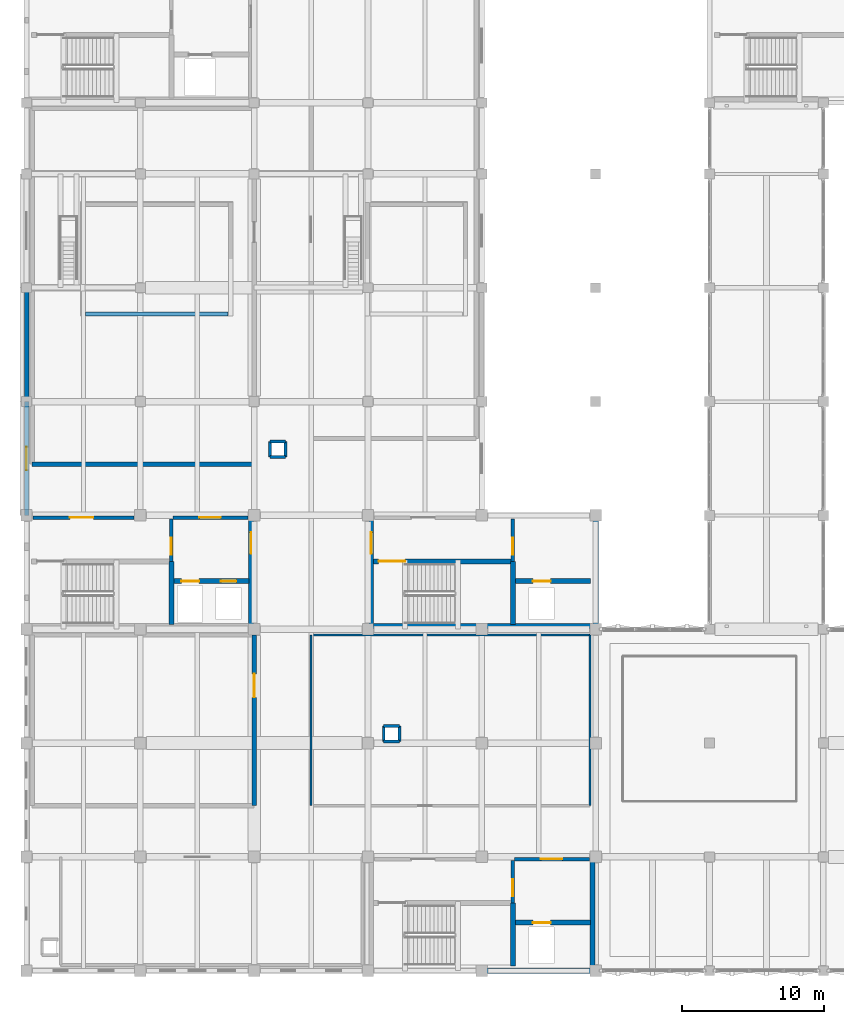
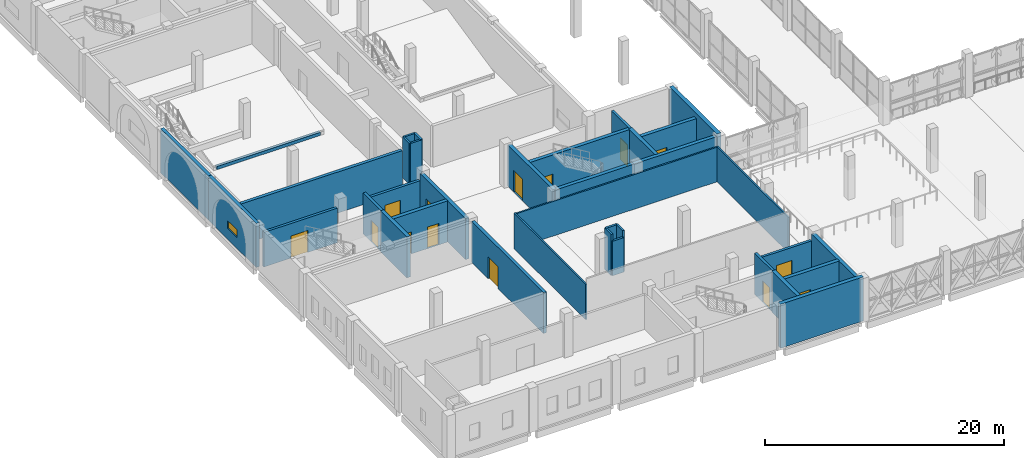
# One storey, part 26 of 45: 35 walls, 14 doors, 1 window, 15 openings.
"""IFC4 building model written with IfcOpenShell, lengths in metres."""

from ifc_helpers import new_model, si_unit, direction, frame, frame_2d, origin, place, context, subcontext, project, spatial, rectangle, extrude, material, layer, layer_set, type_object, element, fill, save


model = new_model("IFC4")

# Units and contexts
model_context = context("Model", 3, precision=1e-05, world=origin(), true_north=direction((0.0, 1.0)))
body_context = subcontext(model_context, "Body", "Model", "MODEL_VIEW")
ifc_project = project(units=[si_unit("LENGTHUNIT", "METRE"), si_unit("AREAUNIT", "SQUARE_METRE"), si_unit("VOLUMEUNIT", "CUBIC_METRE"), si_unit("PLANEANGLEUNIT", "RADIAN"), si_unit("MASSUNIT", "GRAM", prefix="KILO")], contexts=[model_context])

# Site, building, storey
site_placement = place(None, origin())
site = spatial("IfcSite", under=ifc_project, at=site_placement, CompositionType="ELEMENT")
building_placement = place(site_placement, origin())
building = spatial("IfcBuilding", under=site, at=building_placement, Name="Qorikala Patio Media Centre", CompositionType="ELEMENT")
storey_placement = place(building_placement, frame((0.0, 0.0, 9.89990234375)))
storey = spatial("IfcBuildingStorey", under=building, at=storey_placement, Name="L02", CompositionType="ELEMENT", Elevation=9.89990234375)

# Wall
ifc_material_1 = material(Name="Concrete C35/45", Category="concrete")
ifc_layer_1 = layer(ifc_material_1, 0.300048828125)
ifc_layer_set_1 = layer_set([ifc_layer_1], Name="Concrete C35/45")
wall_type_1 = type_object("IfcWallType", Name="WL-AC-300", PredefinedType="SHEAR", material=ifc_layer_set_1)
wall_1_placement = place(storey_placement, frame((7.14990234375, 49.14990234375, 0.0), z_axis=(0.0, 0.0, 1.0), x_axis=(1.0, 0.0, 0.0)))
element("IfcWall", 1, at=wall_1_placement, inside=storey, type_object=wall_type_1, Name="Cinema Screen 3 Raked Seating Tier Front Riser Support Wall", PredefinedType="SHEAR", context=body_context, shape_type="SweptSolid", body=[
    extrude(rectangle(XDim=10.0, YDim=0.300048828125, at=frame_2d((5.0, 0.0))), origin(), (0.0, 0.0, 1.0), 0.320068359375),
])

# Wall, opening, door
wall_2_placement = place(storey_placement, frame((19.0, 14.60009765625, 0.0), z_axis=(0.0, 0.0, 1.0), x_axis=(0.0, 1.0, 0.0)))
wall_2 = element("IfcWall", 2, at=wall_2_placement, inside=storey, type_object=wall_type_1, Name="L02 Interior Wall WINT-L02-REST2-E", PredefinedType="SHEAR", context=body_context, shape_type="SweptSolid", body=[
    extrude(rectangle(XDim=12.0, YDim=0.300048828125, at=frame_2d((6.0, 0.0))), origin(), (0.0, 0.0, 1.0), 4.2001953125),
])
opening_1_placement = place(wall_2_placement, frame((7.614013671875, 0.0, 0.0)))
opening_1 = element("IfcOpeningElement", 3, at=opening_1_placement, cuts=wall_2, Name="Opening D269", PredefinedType="OPENING", context=body_context, shape_type="SweptSolid", body=[
    extrude(rectangle(XDim=1.64990234375, YDim=2.25, at=frame_2d((0.824951171875, 1.125))), frame((0.0, 0.159912109375, 0.0), z_axis=(0.0, -1.0, 0.0), x_axis=(1.0, 0.0, 0.0)), (0.0, 0.0, 1.0), 0.320068359375),
])
ifc_material_2 = material(Name="Powder-Coated Acoustic Fire Steel", Category="steel")
door_type_1 = type_object("IfcDoorType", Name="DR-FD60-165X225", OperationType="DOUBLE_DOOR_SINGLE_SWING", PredefinedType="DOOR", material=ifc_material_2)
door_1_placement = place(opening_1_placement, origin())
door_1 = element("IfcDoor", 4, at=door_1_placement, inside=storey, type_object=door_type_1, Name="Archival Screening Room Door 058", OperationType="DOUBLE_DOOR_SINGLE_SWING", OverallHeight=2.25, OverallWidth=1.64990234375, PredefinedType="DOOR", context=body_context, shape_type="SweptSolid", body=[
    extrude(rectangle(XDim=1.64990234375, YDim=2.25, at=frame_2d((0.824951171875, 1.125))), frame((0.0, 0.02490234375, 0.0), z_axis=(0.0, -1.0, 0.0), x_axis=(1.0, 0.0, 0.0)), (0.0, 0.0, 1.0), 0.050048828125),
])
fill(opening_1, door_1)

# Walls
wall_3_placement = place(storey_placement, frame((3.39990234375, 38.60009765625, 0.0), z_axis=(0.0, 0.0, 1.0), x_axis=(1.0, 0.0, 0.0)))
element("IfcWall", 5, at=wall_3_placement, inside=storey, type_object=wall_type_1, Name="L02 Interior Wall WINT-L02-SCR3-S", PredefinedType="SHEAR", context=body_context, shape_type="SweptSolid", body=[
    extrude(rectangle(XDim=15.60009765625, YDim=0.300048828125, at=frame_2d((7.800048828125, 0.0))), origin(), (0.0, 0.0, 1.0), 4.2001953125),
])
ifc_layer_2 = layer(ifc_material_1, 0.35009765625)
ifc_layer_set_2 = layer_set([ifc_layer_2], Name="Concrete C35/45")
wall_type_2 = type_object("IfcWallType", Name="WL-CORE-350", PredefinedType="SHEAR", material=ifc_layer_set_2)
wall_4_placement = place(storey_placement, frame((37.175048828125, 3.35009765625, 0.0), z_axis=(0.0, 0.0, 1.0), x_axis=(0.0, 1.0, 0.0)))
element("IfcWall", 6, at=wall_4_placement, inside=storey, type_object=wall_type_2, Name="L02 Interior Wall CW-L02-C1-SE", PredefinedType="SHEAR", context=body_context, shape_type="SweptSolid", body=[
    extrude(rectangle(XDim=4.4248046875, YDim=0.35009765625, at=frame_2d((2.21240234375, 0.0))), origin(), (0.0, 0.0, 1.0), 4.2001953125),
])
wall_5_placement = place(storey_placement, frame((42.77490234375, 3.199951171875, 0.0), z_axis=(0.0, 0.0, 1.0), x_axis=(0.0, 1.0, 0.0)))
element("IfcWall", 7, at=wall_5_placement, inside=storey, type_object=wall_type_2, Name="L02 Interior Wall CW-L02-C1-EE", PredefinedType="SHEAR", context=body_context, shape_type="SweptSolid", body=[
    extrude(rectangle(XDim=7.60009765625, YDim=0.35009765625, at=frame_2d((3.800048828125, 0.0))), origin(), (0.0, 0.0, 1.0), 4.2001953125),
])

# Wall, opening, door
wall_6_placement = place(storey_placement, frame((37.175048828125, 6.375, 0.0), z_axis=(0.0, 0.0, 1.0), x_axis=(1.0, 0.0, 0.0)))
wall_6 = element("IfcWall", 8, at=wall_6_placement, inside=storey, type_object=wall_type_2, Name="L02 Interior Wall CW-L02-C1-LFN", PredefinedType="SHEAR", context=body_context, shape_type="SweptSolid", body=[
    extrude(rectangle(XDim=5.474853515625, YDim=0.35009765625, at=frame_2d((2.7373046875, 0.0))), origin(), (0.0, 0.0, 1.0), 4.2001953125),
])
opening_2_placement = place(wall_6_placement, frame((1.39990234375, 0.0, 0.0)))
opening_2 = element("IfcOpeningElement", 9, at=opening_2_placement, cuts=wall_6, Name="Opening LD04", PredefinedType="OPENING", context=body_context, shape_type="SweptSolid", body=[
    extrude(rectangle(XDim=1.25, YDim=2.25, at=frame_2d((0.625, 1.125))), frame((0.0, 0.18505859375, 0.0), z_axis=(0.0, -1.0, 0.0), x_axis=(1.0, 0.0, 0.0)), (0.0, 0.0, 1.0), 0.3701171875),
])
ifc_material_3 = material(Name="Brushed Bronze Stainless Steel", Category="steel")
door_type_2 = type_object("IfcDoorType", Name="DR-LD-125X225", OperationType="DOUBLE_DOOR_SLIDING", PredefinedType="DOOR", material=ifc_material_3)
door_2_placement = place(opening_2_placement, origin())
door_2 = element("IfcDoor", 10, at=door_2_placement, inside=storey, type_object=door_type_2, Name="L02 Lift LF-01 Sliding Landing Door", OperationType="DOUBLE_DOOR_SLIDING", OverallHeight=2.25, OverallWidth=1.25, PredefinedType="DOOR", context=body_context, shape_type="SweptSolid", body=[
    extrude(rectangle(XDim=1.25, YDim=2.25, at=frame_2d((0.625, 1.125))), frame((0.0, 0.02490234375, 0.0), z_axis=(0.0, -1.0, 0.0), x_axis=(1.0, 0.0, 0.0)), (0.0, 0.0, 1.0), 0.050048828125),
])
fill(opening_2, door_2)

# Wall
wall_7_placement = place(storey_placement, frame((13.175048828125, 27.35009765625, 0.0), z_axis=(0.0, 0.0, 1.0), x_axis=(0.0, 1.0, 0.0)))
element("IfcWall", 11, at=wall_7_placement, inside=storey, type_object=wall_type_2, Name="L02 Interior Wall CW-L02-C2-SE", PredefinedType="SHEAR", context=body_context, shape_type="SweptSolid", body=[
    extrude(rectangle(XDim=4.4248046875, YDim=0.35009765625, at=frame_2d((2.21240234375, 0.0))), origin(), (0.0, 0.0, 1.0), 4.2001953125),
])

# Wall, opening, door
wall_8_placement = place(storey_placement, frame((18.77490234375, 27.199951171875, 0.0), z_axis=(0.0, 0.0, 1.0), x_axis=(0.0, 1.0, 0.0)))
wall_8 = element("IfcWall", 12, at=wall_8_placement, inside=storey, type_object=wall_type_2, Name="L02 Interior Wall CW-L02-C2-EE", PredefinedType="SHEAR", context=body_context, shape_type="SweptSolid", body=[
    extrude(rectangle(XDim=7.60009765625, YDim=0.35009765625, at=frame_2d((3.800048828125, 0.0))), origin(), (0.0, 0.0, 1.0), 4.2001953125),
])
opening_3_placement = place(wall_8_placement, frame((5.10009765625, 0.0, 0.0)))
opening_3 = element("IfcOpeningElement", 13, at=opening_3_placement, cuts=wall_8, Name="Opening D074", PredefinedType="OPENING", context=body_context, shape_type="SweptSolid", body=[
    extrude(rectangle(XDim=1.5, YDim=2.199951171875, at=frame_2d((0.75, 1.10009765625))), frame((0.0, 0.18505859375, 0.0), z_axis=(0.0, -1.0, 0.0), x_axis=(1.0, 0.0, 0.0)), (0.0, 0.0, 1.0), 0.3701171875),
])
door_type_3 = type_object("IfcDoorType", Name="DR-FD60-150X220", OperationType="DOUBLE_DOOR_SINGLE_SWING", PredefinedType="DOOR", material=ifc_material_2)
door_3_placement = place(opening_3_placement, origin())
door_3 = element("IfcDoor", 14, at=door_3_placement, inside=storey, type_object=door_type_3, Name="L02 Core C2 East Corridor Fire Door", OperationType="DOUBLE_DOOR_SINGLE_SWING", OverallHeight=2.199951171875, OverallWidth=1.5, PredefinedType="DOOR", context=body_context, shape_type="SweptSolid", body=[
    extrude(rectangle(XDim=1.5, YDim=2.199951171875, at=frame_2d((0.75, 1.10009765625))), frame((0.0, 0.02490234375, 0.0), z_axis=(0.0, -1.0, 0.0), x_axis=(1.0, 0.0, 0.0)), (0.0, 0.0, 1.0), 0.050048828125),
])
fill(opening_3, door_3)

# Wall, openings, doors
wall_9_placement = place(storey_placement, frame((13.175048828125, 30.375, 0.0), z_axis=(0.0, 0.0, 1.0), x_axis=(1.0, 0.0, 0.0)))
wall_9 = element("IfcWall", 15, at=wall_9_placement, inside=storey, type_object=wall_type_2, Name="L02 Interior Wall CW-L02-C2-LFN", PredefinedType="SHEAR", context=body_context, shape_type="SweptSolid", body=[
    extrude(rectangle(XDim=5.474853515625, YDim=0.35009765625, at=frame_2d((2.7373046875, 0.0))), origin(), (0.0, 0.0, 1.0), 4.2001953125),
])
opening_4_placement = place(wall_9_placement, frame((0.699951171875, 0.0, 0.0)))
opening_4 = element("IfcOpeningElement", 16, at=opening_4_placement, cuts=wall_9, Name="Opening LD14", PredefinedType="OPENING", context=body_context, shape_type="SweptSolid", body=[
    extrude(rectangle(XDim=1.25, YDim=2.25, at=frame_2d((0.625, 1.125))), frame((0.0, 0.18505859375, 0.0), z_axis=(0.0, -1.0, 0.0), x_axis=(1.0, 0.0, 0.0)), (0.0, 0.0, 1.0), 0.3701171875),
])
opening_5_placement = place(wall_9_placement, frame((3.47509765625, 0.0, 0.0)))
opening_5 = element("IfcOpeningElement", 17, at=opening_5_placement, cuts=wall_9, Name="Opening LD15", PredefinedType="OPENING", context=body_context, shape_type="SweptSolid", body=[
    extrude(rectangle(XDim=1.10009765625, YDim=2.199951171875, at=frame_2d((0.550048828125, 1.10009765625))), frame((0.0, 0.18505859375, 0.0), z_axis=(0.0, -1.0, 0.0), x_axis=(1.0, 0.0, 0.0)), (0.0, 0.0, 1.0), 0.3701171875),
])
door_type_4 = type_object("IfcDoorType", Name="DR-LD-110X220", OperationType="DOUBLE_DOOR_SLIDING", PredefinedType="DOOR", material=ifc_material_3)
door_4_placement = place(opening_5_placement, origin())
door_4 = element("IfcDoor", 18, at=door_4_placement, inside=storey, type_object=door_type_4, Name="L02 Lift LP-04 Sliding Landing Door", OperationType="DOUBLE_DOOR_SLIDING", OverallHeight=2.199951171875, OverallWidth=1.10009765625, PredefinedType="DOOR", context=body_context, shape_type="SweptSolid", body=[
    extrude(rectangle(XDim=1.10009765625, YDim=2.199951171875, at=frame_2d((0.550048828125, 1.10009765625))), frame((0.0, 0.02490234375, 0.0), z_axis=(0.0, -1.0, 0.0), x_axis=(1.0, 0.0, 0.0)), (0.0, 0.0, 1.0), 0.050048828125),
])
fill(opening_5, door_4)
door_5_placement = place(opening_4_placement, origin())
door_5 = element("IfcDoor", 19, at=door_5_placement, inside=storey, type_object=door_type_2, Name="L02 Lift LF-02 Sliding Landing Door", OperationType="DOUBLE_DOOR_SLIDING", OverallHeight=2.25, OverallWidth=1.25, PredefinedType="DOOR", context=body_context, shape_type="SweptSolid", body=[
    extrude(rectangle(XDim=1.25, YDim=2.25, at=frame_2d((0.625, 1.125))), frame((0.0, 0.02490234375, 0.0), z_axis=(0.0, -1.0, 0.0), x_axis=(1.0, 0.0, 0.0)), (0.0, 0.0, 1.0), 0.050048828125),
])
fill(opening_4, door_5)

# Wall
wall_10_placement = place(storey_placement, frame((27.199951171875, 27.22509765625, 0.0), z_axis=(0.0, 0.0, 1.0), x_axis=(1.0, 0.0, 0.0)))
element("IfcWall", 20, at=wall_10_placement, inside=storey, type_object=wall_type_2, Name="L02 Core C5 Stair South Wall", PredefinedType="SHEAR", context=body_context, shape_type="SweptSolid", body=[
    extrude(rectangle(XDim=15.60009765625, YDim=0.35009765625, at=frame_2d((7.800048828125, 0.0))), origin(), (0.0, 0.0, 1.0), 4.2001953125),
])

# Wall, opening, door
wall_11_placement = place(storey_placement, frame((27.22509765625, 27.199951171875, 0.0), z_axis=(0.0, 0.0, 1.0), x_axis=(0.0, 1.0, 0.0)))
wall_11 = element("IfcWall", 21, at=wall_11_placement, inside=storey, type_object=wall_type_2, Name="L02 Interior Wall CW-L02-C5-SW", PredefinedType="SHEAR", context=body_context, shape_type="SweptSolid", body=[
    extrude(rectangle(XDim=7.60009765625, YDim=0.35009765625, at=frame_2d((3.800048828125, 0.0))), origin(), (0.0, 0.0, 1.0), 4.2001953125),
])
opening_6_placement = place(wall_11_placement, frame((5.10009765625, 0.0, 0.0)))
opening_6 = element("IfcOpeningElement", 22, at=opening_6_placement, cuts=wall_11, Name="Opening D158", PredefinedType="OPENING", context=body_context, shape_type="SweptSolid", body=[
    extrude(rectangle(XDim=1.5, YDim=2.199951171875, at=frame_2d((0.75, 1.10009765625))), frame((0.0, 0.18505859375, 0.0), z_axis=(0.0, -1.0, 0.0), x_axis=(1.0, 0.0, 0.0)), (0.0, 0.0, 1.0), 0.3701171875),
])
door_6_placement = place(opening_6_placement, origin())
door_6 = element("IfcDoor", 23, at=door_6_placement, inside=storey, type_object=door_type_3, Name="L02 Core C5 West Corridor Fire Door", OperationType="DOUBLE_DOOR_SINGLE_SWING", OverallHeight=2.199951171875, OverallWidth=1.5, PredefinedType="DOOR", context=body_context, shape_type="SweptSolid", body=[
    extrude(rectangle(XDim=1.5, YDim=2.199951171875, at=frame_2d((0.75, 1.10009765625))), frame((0.0, 0.02490234375, 0.0), z_axis=(0.0, -1.0, 0.0), x_axis=(1.0, 0.0, 0.0)), (0.0, 0.0, 1.0), 0.050048828125),
])
fill(opening_6, door_6)

# Wall
wall_12_placement = place(storey_placement, frame((37.175048828125, 27.35009765625, 0.0), z_axis=(0.0, 0.0, 1.0), x_axis=(0.0, 1.0, 0.0)))
element("IfcWall", 24, at=wall_12_placement, inside=storey, type_object=wall_type_2, Name="L02 Interior Wall CW-L02-C5-SE", PredefinedType="SHEAR", context=body_context, shape_type="SweptSolid", body=[
    extrude(rectangle(XDim=4.4248046875, YDim=0.35009765625, at=frame_2d((2.21240234375, 0.0))), origin(), (0.0, 0.0, 1.0), 4.2001953125),
])

# Wall, opening, door
wall_13_placement = place(storey_placement, frame((27.35009765625, 31.77490234375, 0.0), z_axis=(0.0, 0.0, 1.0), x_axis=(1.0, 0.0, 0.0)))
wall_13 = element("IfcWall", 25, at=wall_13_placement, inside=storey, type_object=wall_type_2, Name="L02 Interior Wall CW-L02-C5-SN", PredefinedType="SHEAR", context=body_context, shape_type="SweptSolid", body=[
    extrude(rectangle(XDim=9.824951171875, YDim=0.35009765625, at=frame_2d((4.91259765625, 0.0))), origin(), (0.0, 0.0, 1.0), 4.2001953125),
])
opening_7_placement = place(wall_13_placement, frame((0.39990234375, 0.0, 0.0)))
opening_7 = element("IfcOpeningElement", 26, at=opening_7_placement, cuts=wall_13, Name="Opening D155", PredefinedType="OPENING", context=body_context, shape_type="SweptSolid", body=[
    extrude(rectangle(XDim=1.85009765625, YDim=2.25, at=frame_2d((0.925048828125, 1.125))), frame((0.0, 0.18505859375, 0.0), z_axis=(0.0, -1.0, 0.0), x_axis=(1.0, 0.0, 0.0)), (0.0, 0.0, 1.0), 0.3701171875),
])
door_type_5 = type_object("IfcDoorType", Name="DR-FD60-185X225", OperationType="DOUBLE_DOOR_SINGLE_SWING", PredefinedType="DOOR", material=ifc_material_2)
door_7_placement = place(opening_7_placement, origin())
door_7 = element("IfcDoor", 27, at=door_7_placement, inside=storey, type_object=door_type_5, Name="L02 Stair ST-5 Fire Door", OperationType="DOUBLE_DOOR_SINGLE_SWING", OverallHeight=2.25, OverallWidth=1.85009765625, PredefinedType="DOOR", context=body_context, shape_type="SweptSolid", body=[
    extrude(rectangle(XDim=1.85009765625, YDim=2.25, at=frame_2d((0.925048828125, 1.125))), frame((0.0, 0.02490234375, 0.0), z_axis=(0.0, -1.0, 0.0), x_axis=(1.0, 0.0, 0.0)), (0.0, 0.0, 1.0), 0.050048828125),
])
fill(opening_7, door_7)

wall_14_placement = place(storey_placement, frame((37.175048828125, 30.375, 0.0), z_axis=(0.0, 0.0, 1.0), x_axis=(1.0, 0.0, 0.0)))
wall_14 = element("IfcWall", 28, at=wall_14_placement, inside=storey, type_object=wall_type_2, Name="L02 Interior Wall CW-L02-C5-LFN", PredefinedType="SHEAR", context=body_context, shape_type="SweptSolid", body=[
    extrude(rectangle(XDim=5.474853515625, YDim=0.35009765625, at=frame_2d((2.7373046875, 0.0))), origin(), (0.0, 0.0, 1.0), 4.2001953125),
])
opening_8_placement = place(wall_14_placement, frame((1.39990234375, 0.0, 0.0)))
opening_8 = element("IfcOpeningElement", 29, at=opening_8_placement, cuts=wall_14, Name="Opening LD43", PredefinedType="OPENING", context=body_context, shape_type="SweptSolid", body=[
    extrude(rectangle(XDim=1.25, YDim=2.25, at=frame_2d((0.625, 1.125))), frame((0.0, 0.18505859375, 0.0), z_axis=(0.0, -1.0, 0.0), x_axis=(1.0, 0.0, 0.0)), (0.0, 0.0, 1.0), 0.3701171875),
])
door_8_placement = place(opening_8_placement, origin())
door_8 = element("IfcDoor", 30, at=door_8_placement, inside=storey, type_object=door_type_2, Name="L02 Lift LP-03 Sliding Landing Door", OperationType="DOUBLE_DOOR_SLIDING", OverallHeight=2.25, OverallWidth=1.25, PredefinedType="DOOR", context=body_context, shape_type="SweptSolid", body=[
    extrude(rectangle(XDim=1.25, YDim=2.25, at=frame_2d((0.625, 1.125))), frame((0.0, 0.02490234375, 0.0), z_axis=(0.0, -1.0, 0.0), x_axis=(1.0, 0.0, 0.0)), (0.0, 0.0, 1.0), 0.050048828125),
])
fill(opening_8, door_8)

# Wall, opening, window
ifc_material_4 = material(Name="Ivory Lime Stucco and Concrete C35/45", Category="concrete")
ifc_layer_3 = layer(ifc_material_4, 0.320068359375)
ifc_layer_set_3 = layer_set([ifc_layer_3], Name="Ivory Lime Stucco and Concrete C35/45")
wall_type_3 = type_object("IfcWallType", Name="WL-EXT-320", PredefinedType="SOLIDWALL", material=ifc_layer_set_3)
wall_15_placement = place(storey_placement, frame((3.0, 35.0, 0.0), z_axis=(0.0, 0.0, 1.0), x_axis=(0.0, 1.0, 0.0)))
wall_15 = element("IfcWall", 31, at=wall_15_placement, inside=storey, type_object=wall_type_3, Name="L02 Exterior Wall WL-L02-EXT-0033", PredefinedType="SOLIDWALL", context=body_context, shape_type="SweptSolid", body=[
    extrude(rectangle(XDim=8.0, YDim=0.320068359375, at=frame_2d((4.0, 0.0))), origin(), (0.0, 0.0, 1.0), 4.5),
])
opening_9_placement = place(wall_15_placement, frame((3.175048828125, 0.0, 1.10009765625)))
opening_9 = element("IfcOpeningElement", 32, at=opening_9_placement, cuts=wall_15, Name="Opening WL-165", PredefinedType="OPENING", context=body_context, shape_type="SweptSolid", body=[
    extrude(rectangle(XDim=1.64990234375, YDim=0.800048828125, at=frame_2d((0.824951171875, 0.39990234375))), frame((0.0, 0.169921875, 0.0), z_axis=(0.0, -1.0, 0.0), x_axis=(1.0, 0.0, 0.0)), (0.0, 0.0, 1.0), 0.340087890625),
])
ifc_material_5 = material(Name="Acoustic Laminated Low-E Glass", Category="glass")
window_type = type_object("IfcWindowType", Name="WN-CL-165X080", PartitioningType="SINGLE_PANEL", PredefinedType="WINDOW", material=ifc_material_5)
window_placement = place(opening_9_placement, origin())
window = element("IfcWindow", 33, at=window_placement, inside=storey, type_object=window_type, Name="L02 High Acoustic Clerestory Window 0161", OverallHeight=0.800048828125, OverallWidth=1.64990234375, PartitioningType="SINGLE_PANEL", PredefinedType="WINDOW", context=body_context, shape_type="SweptSolid", body=[
    extrude(rectangle(XDim=1.64990234375, YDim=0.800048828125, at=frame_2d((0.824951171875, 0.39990234375))), frame((0.0, 0.030029296875, 0.0), z_axis=(0.0, -1.0, 0.0), x_axis=(1.0, 0.0, 0.0)), (0.0, 0.0, 1.0), 0.06005859375),
])
fill(opening_9, window)

# Wall
wall_16_placement = place(storey_placement, frame((3.0, 43.0, 0.0), z_axis=(0.0, 0.0, 1.0), x_axis=(0.0, 1.0, 0.0)))
element("IfcWall", 34, at=wall_16_placement, inside=storey, type_object=wall_type_3, Name="L02 Exterior Wall WL-L02-EXT-0034", PredefinedType="SOLIDWALL", context=body_context, shape_type="SweptSolid", body=[
    extrude(rectangle(XDim=8.0, YDim=0.320068359375, at=frame_2d((4.0, 0.0))), origin(), (0.0, 0.0, 1.0), 4.5),
])

# Wall, opening, door
ifc_layer_4 = layer(ifc_material_1, 0.25)
ifc_layer_set_4 = layer_set([ifc_layer_4], Name="Concrete C35/45")
wall_type_4 = type_object("IfcWallType", Name="WL-FFL-250", PredefinedType="PARTITIONING", material=ifc_layer_set_4)
wall_17_placement = place(storey_placement, frame((37.175048828125, 7.77490234375, 0.0), z_axis=(0.0, 0.0, 1.0), x_axis=(0.0, 1.0, 0.0)))
wall_17 = element("IfcWall", 35, at=wall_17_placement, inside=storey, type_object=wall_type_4, Name="L02 Interior Wall CW-L02-C1-LBD", PredefinedType="PARTITIONING", context=body_context, shape_type="SweptSolid", body=[
    extrude(rectangle(XDim=2.97509765625, YDim=0.25, at=frame_2d((1.487548828125, 0.0))), origin(), (0.0, 0.0, 1.0), 4.2001953125),
])
opening_10_placement = place(wall_17_placement, frame((0.449951171875, 0.0, 0.0)))
opening_10 = element("IfcOpeningElement", 36, at=opening_10_placement, cuts=wall_17, Name="Opening D036", PredefinedType="OPENING", context=body_context, shape_type="SweptSolid", body=[
    extrude(rectangle(XDim=1.199951171875, YDim=2.199951171875, at=frame_2d((0.60009765625, 1.10009765625))), frame((0.0, 0.135009765625, 0.0), z_axis=(0.0, -1.0, 0.0), x_axis=(1.0, 0.0, 0.0)), (0.0, 0.0, 1.0), 0.27001953125),
])
ifc_material_6 = material(Name="Acoustic Fire Timber and Steel", Category="steel")
door_type_6 = type_object("IfcDoorType", Name="DR-FD60-120X220", OperationType="NOTDEFINED", PredefinedType="DOOR", material=ifc_material_6)
door_9_placement = place(opening_10_placement, origin())
door_9 = element("IfcDoor", 37, at=door_9_placement, inside=storey, type_object=door_type_6, Name="L02 Core C1 Firefighting Lobby Cross Door", OperationType="SINGLE_SWING_RIGHT", OverallHeight=2.199951171875, OverallWidth=1.199951171875, PredefinedType="DOOR", context=body_context, shape_type="SweptSolid", body=[
    extrude(rectangle(XDim=1.199951171875, YDim=2.199951171875, at=frame_2d((0.60009765625, 1.10009765625))), frame((0.0, 0.02490234375, 0.0), z_axis=(0.0, -1.0, 0.0), x_axis=(1.0, 0.0, 0.0)), (0.0, 0.0, 1.0), 0.050048828125),
])
fill(opening_10, door_9)

wall_18_placement = place(storey_placement, frame((37.300048828125, 10.85009765625, 0.0), z_axis=(0.0, 0.0, 1.0), x_axis=(1.0, 0.0, 0.0)))
wall_18 = element("IfcWall", 38, at=wall_18_placement, inside=storey, type_object=wall_type_4, Name="L02 Interior Wall CW-L02-C1-CN2", PredefinedType="PARTITIONING", context=body_context, shape_type="SweptSolid", body=[
    extrude(rectangle(XDim=5.25, YDim=0.25, at=frame_2d((2.625, 0.0))), origin(), (0.0, 0.0, 1.0), 3.53515625),
])
opening_11_placement = place(wall_18_placement, frame((1.85009765625, 0.0, 0.0)))
opening_11 = element("IfcOpeningElement", 39, at=opening_11_placement, cuts=wall_18, Name="Opening D038", PredefinedType="OPENING", context=body_context, shape_type="SweptSolid", body=[
    extrude(rectangle(XDim=1.5, YDim=2.199951171875, at=frame_2d((0.75, 1.10009765625))), frame((0.0, 0.135009765625, 0.0), z_axis=(0.0, -1.0, 0.0), x_axis=(1.0, 0.0, 0.0)), (0.0, 0.0, 1.0), 0.27001953125),
])
door_10_placement = place(opening_11_placement, origin())
door_10 = element("IfcDoor", 40, at=door_10_placement, inside=storey, type_object=door_type_3, Name="L02 Core C1 Firefighting Lobby Door", OperationType="DOUBLE_DOOR_SINGLE_SWING", OverallHeight=2.199951171875, OverallWidth=1.5, PredefinedType="DOOR", context=body_context, shape_type="SweptSolid", body=[
    extrude(rectangle(XDim=1.5, YDim=2.199951171875, at=frame_2d((0.75, 1.10009765625))), frame((0.0, 0.02490234375, 0.0), z_axis=(0.0, -1.0, 0.0), x_axis=(1.0, 0.0, 0.0)), (0.0, 0.0, 1.0), 0.050048828125),
])
fill(opening_11, door_10)

wall_19_placement = place(storey_placement, frame((13.175048828125, 31.77490234375, 0.0), z_axis=(0.0, 0.0, 1.0), x_axis=(0.0, 1.0, 0.0)))
wall_19 = element("IfcWall", 41, at=wall_19_placement, inside=storey, type_object=wall_type_4, Name="L02 Interior Wall CW-L02-C2-LBD", PredefinedType="PARTITIONING", context=body_context, shape_type="SweptSolid", body=[
    extrude(rectangle(XDim=2.97509765625, YDim=0.25, at=frame_2d((1.487548828125, 0.0))), origin(), (0.0, 0.0, 1.0), 4.2001953125),
])
opening_12_placement = place(wall_19_placement, frame((0.449951171875, 0.0, 0.0)))
opening_12 = element("IfcOpeningElement", 42, at=opening_12_placement, cuts=wall_19, Name="Opening D071", PredefinedType="OPENING", context=body_context, shape_type="SweptSolid", body=[
    extrude(rectangle(XDim=1.199951171875, YDim=2.199951171875, at=frame_2d((0.60009765625, 1.10009765625))), frame((0.0, 0.135009765625, 0.0), z_axis=(0.0, -1.0, 0.0), x_axis=(1.0, 0.0, 0.0)), (0.0, 0.0, 1.0), 0.27001953125),
])
door_11_placement = place(opening_12_placement, origin())
door_11 = element("IfcDoor", 43, at=door_11_placement, inside=storey, type_object=door_type_6, Name="L02 Core C2 Firefighting Lobby Cross Door", OperationType="SINGLE_SWING_RIGHT", OverallHeight=2.199951171875, OverallWidth=1.199951171875, PredefinedType="DOOR", context=body_context, shape_type="SweptSolid", body=[
    extrude(rectangle(XDim=1.199951171875, YDim=2.199951171875, at=frame_2d((0.60009765625, 1.10009765625))), frame((0.0, 0.02490234375, 0.0), z_axis=(0.0, -1.0, 0.0), x_axis=(1.0, 0.0, 0.0)), (0.0, 0.0, 1.0), 0.050048828125),
])
fill(opening_12, door_11)

wall_20_placement = place(storey_placement, frame((3.449951171875, 34.85009765625, 0.0), z_axis=(0.0, 0.0, 1.0), x_axis=(1.0, 0.0, 0.0)))
wall_20 = element("IfcWall", 44, at=wall_20_placement, inside=storey, type_object=wall_type_4, Name="L02 Interior Wall CW-L02-C2-CN1", PredefinedType="PARTITIONING", context=body_context, shape_type="SweptSolid", body=[
    extrude(rectangle(XDim=7.10009765625, YDim=0.25, at=frame_2d((3.550048828125, 0.0))), origin(), (0.0, 0.0, 1.0), 3.53515625),
])
opening_13_placement = place(wall_20_placement, frame((2.60009765625, 0.0, 0.0)))
opening_13 = element("IfcOpeningElement", 45, at=opening_13_placement, cuts=wall_20, Name="Opening D072", PredefinedType="OPENING", context=body_context, shape_type="SweptSolid", body=[
    extrude(rectangle(XDim=1.64990234375, YDim=2.25, at=frame_2d((0.824951171875, 1.125))), frame((0.0, 0.135009765625, 0.0), z_axis=(0.0, -1.0, 0.0), x_axis=(1.0, 0.0, 0.0)), (0.0, 0.0, 1.0), 0.27001953125),
])
door_12_placement = place(opening_13_placement, frame((1.64990234375, 0.0, 0.0), z_axis=(0.0, 0.0, 1.0), x_axis=(-1.0, 0.0, 0.0)))
door_12 = element("IfcDoor", 46, at=door_12_placement, inside=storey, type_object=door_type_1, Name="L02 Core C2 Vestibule Door", OperationType="DOUBLE_DOOR_SINGLE_SWING", OverallHeight=2.25, OverallWidth=1.64990234375, PredefinedType="DOOR", context=body_context, shape_type="SweptSolid", body=[
    extrude(rectangle(XDim=1.64990234375, YDim=2.25, at=frame_2d((0.824951171875, 1.125))), frame((0.0, 0.02490234375, 0.0), z_axis=(0.0, -1.0, 0.0), x_axis=(1.0, 0.0, 0.0)), (0.0, 0.0, 1.0), 0.050048828125),
])
fill(opening_13, door_12)

wall_21_placement = place(storey_placement, frame((13.300048828125, 34.85009765625, 0.0), z_axis=(0.0, 0.0, 1.0), x_axis=(1.0, 0.0, 0.0)))
wall_21 = element("IfcWall", 47, at=wall_21_placement, inside=storey, type_object=wall_type_4, Name="L02 Interior Wall CW-L02-C2-CN2", PredefinedType="PARTITIONING", context=body_context, shape_type="SweptSolid", body=[
    extrude(rectangle(XDim=5.25, YDim=0.25, at=frame_2d((2.625, 0.0))), origin(), (0.0, 0.0, 1.0), 3.53515625),
])
opening_14_placement = place(wall_21_placement, frame((1.85009765625, 0.0, 0.0)))
opening_14 = element("IfcOpeningElement", 48, at=opening_14_placement, cuts=wall_21, Name="Opening D073", PredefinedType="OPENING", context=body_context, shape_type="SweptSolid", body=[
    extrude(rectangle(XDim=1.5, YDim=2.199951171875, at=frame_2d((0.75, 1.10009765625))), frame((0.0, 0.135009765625, 0.0), z_axis=(0.0, -1.0, 0.0), x_axis=(1.0, 0.0, 0.0)), (0.0, 0.0, 1.0), 0.27001953125),
])
door_13_placement = place(opening_14_placement, origin())
door_13 = element("IfcDoor", 49, at=door_13_placement, inside=storey, type_object=door_type_3, Name="L02 Core C2 Firefighting Lobby Door", OperationType="DOUBLE_DOOR_SINGLE_SWING", OverallHeight=2.199951171875, OverallWidth=1.5, PredefinedType="DOOR", context=body_context, shape_type="SweptSolid", body=[
    extrude(rectangle(XDim=1.5, YDim=2.199951171875, at=frame_2d((0.75, 1.10009765625))), frame((0.0, 0.02490234375, 0.0), z_axis=(0.0, -1.0, 0.0), x_axis=(1.0, 0.0, 0.0)), (0.0, 0.0, 1.0), 0.050048828125),
])
fill(opening_14, door_13)

wall_22_placement = place(storey_placement, frame((37.175048828125, 31.77490234375, 0.0), z_axis=(0.0, 0.0, 1.0), x_axis=(0.0, 1.0, 0.0)))
wall_22 = element("IfcWall", 50, at=wall_22_placement, inside=storey, type_object=wall_type_4, Name="L02 Interior Wall CW-L02-C5-LBD", PredefinedType="PARTITIONING", context=body_context, shape_type="SweptSolid", body=[
    extrude(rectangle(XDim=2.97509765625, YDim=0.25, at=frame_2d((1.487548828125, 0.0))), origin(), (0.0, 0.0, 1.0), 4.2001953125),
])
opening_15_placement = place(wall_22_placement, frame((0.449951171875, 0.0, 0.0)))
opening_15 = element("IfcOpeningElement", 51, at=opening_15_placement, cuts=wall_22, Name="Opening D156", PredefinedType="OPENING", context=body_context, shape_type="SweptSolid", body=[
    extrude(rectangle(XDim=1.199951171875, YDim=2.199951171875, at=frame_2d((0.60009765625, 1.10009765625))), frame((0.0, 0.135009765625, 0.0), z_axis=(0.0, -1.0, 0.0), x_axis=(1.0, 0.0, 0.0)), (0.0, 0.0, 1.0), 0.27001953125),
])
door_14_placement = place(opening_15_placement, origin())
door_14 = element("IfcDoor", 52, at=door_14_placement, inside=storey, type_object=door_type_6, Name="L02 Core C5 Firefighting Lobby Cross Door", OperationType="SINGLE_SWING_RIGHT", OverallHeight=2.199951171875, OverallWidth=1.199951171875, PredefinedType="DOOR", context=body_context, shape_type="SweptSolid", body=[
    extrude(rectangle(XDim=1.199951171875, YDim=2.199951171875, at=frame_2d((0.60009765625, 1.10009765625))), frame((0.0, 0.02490234375, 0.0), z_axis=(0.0, -1.0, 0.0), x_axis=(1.0, 0.0, 0.0)), (0.0, 0.0, 1.0), 0.050048828125),
])
fill(opening_15, door_14)

# Walls
ifc_material_7 = material(Name="Acoustic Gypsum Stud Partition")
ifc_layer_5 = layer(ifc_material_7, 0.14990234375)
ifc_layer_set_5 = layer_set([ifc_layer_5], Name="Acoustic Gypsum Stud Partition")
wall_type_5 = type_object("IfcWallType", Name="WL-PT-150", PredefinedType="PARTITIONING", material=ifc_layer_set_5)
wall_23_placement = place(storey_placement, frame((42.60009765625, 14.60009765625, 0.0), z_axis=(0.0, 0.0, 1.0), x_axis=(0.0, 1.0, 0.0)))
element("IfcWall", 53, at=wall_23_placement, inside=storey, type_object=wall_type_5, Name="L02 Interior Wall WINT-L02-REST3-E", PredefinedType="PARTITIONING", context=body_context, shape_type="SweptSolid", body=[
    extrude(rectangle(XDim=12.0, YDim=0.14990234375, at=frame_2d((6.0, 0.0))), origin(), (0.0, 0.0, 1.0), 3.585205078125),
])
wall_24_placement = place(storey_placement, frame((23.0, 26.60009765625, 0.0), z_axis=(0.0, 0.0, 1.0), x_axis=(1.0, 0.0, 0.0)))
element("IfcWall", 54, at=wall_24_placement, inside=storey, type_object=wall_type_5, Name="L02 Interior Wall WINT-L02-REST3-N", PredefinedType="PARTITIONING", context=body_context, shape_type="SweptSolid", body=[
    extrude(rectangle(XDim=19.60009765625, YDim=0.14990234375, at=frame_2d((9.800048828125, 0.0))), origin(), (0.0, 0.0, 1.0), 3.53515625),
])
wall_25_placement = place(storey_placement, frame((23.0, 14.60009765625, 0.0), z_axis=(0.0, 0.0, 1.0), x_axis=(0.0, 1.0, 0.0)))
element("IfcWall", 55, at=wall_25_placement, inside=storey, type_object=wall_type_5, Name="L02 Interior Wall WINT-L02-REST3-W", PredefinedType="PARTITIONING", context=body_context, shape_type="SweptSolid", body=[
    extrude(rectangle(XDim=12.0, YDim=0.14990234375, at=frame_2d((6.0, 0.0))), origin(), (0.0, 0.0, 1.0), 3.635009765625),
])
ifc_material_8 = material(Name="Acoustic Masonry and Plaster Concrete C30/37", Category="masonry")
ifc_layer_6 = layer(ifc_material_8, 0.199951171875)
ifc_layer_set_6 = layer_set([ifc_layer_6], Name="Acoustic Masonry and Plaster Concrete C30/37")
wall_type_6 = type_object("IfcWallType", Name="WL-ST-200", PredefinedType="PARTITIONING", material=ifc_layer_set_6)
for number, where, z_axis, x_axis, name in (
    (56, (20.10009765625, 39.10009765625, 0.0), (0.0, 0.0, 1.0), (1.0, 0.0, 0.0), "L02 Interior Wall RSW-3-L02-S"),
    (57, (20.10009765625, 40.199951171875, 0.0), (0.0, 0.0, 1.0), (1.0, 0.0, 0.0), "L02 Interior Wall RSW-3-L02-N"),
    (58, (20.10009765625, 39.10009765625, 0.0), (0.0, 0.0, 1.0), (0.0, 1.0, 0.0), "L02 Interior Wall RSW-3-L02-W"),
    (59, (21.199951171875, 39.10009765625, 0.0), (0.0, 0.0, 1.0), (0.0, 1.0, 0.0), "L02 Interior Wall RSW-3-L02-E"),
):
    element("IfcWall", number, at=place(storey_placement, frame(where, z_axis=z_axis, x_axis=x_axis)), inside=storey, type_object=wall_type_6, Name=name, PredefinedType="PARTITIONING", context=body_context, shape_type="SweptSolid", body=[
        extrude(rectangle(XDim=1.099853515625, YDim=0.199951171875, at=frame_2d((0.5498046875, 0.0))), origin(), (0.0, 0.0, 1.0), 4.2001953125),
    ])
wall_26_placement = place(storey_placement, frame((28.10009765625, 19.10009765625, 0.0), z_axis=(0.0, 0.0, 1.0), x_axis=(1.0, 0.0, 0.0)))
element("IfcWall", 60, at=wall_26_placement, inside=storey, type_object=wall_type_6, Name="L02 Interior Wall RSW-4-L02-S", PredefinedType="PARTITIONING", context=body_context, shape_type="SweptSolid", body=[
    extrude(rectangle(XDim=1.099853515625, YDim=0.199951171875, at=frame_2d((0.5498046875, 0.0))), origin(), (0.0, 0.0, 1.0), 3.53515625),
])
for number, where, z_axis, x_axis, name in (
    (61, (28.10009765625, 20.199951171875, 0.0), (0.0, 0.0, 1.0), (1.0, 0.0, 0.0), "L02 Interior Wall RSW-4-L02-N"),
    (62, (28.10009765625, 19.10009765625, 0.0), (0.0, 0.0, 1.0), (0.0, 1.0, 0.0), "L02 Interior Wall RSW-4-L02-W"),
    (63, (29.199951171875, 19.10009765625, 0.0), (0.0, 0.0, 1.0), (0.0, 1.0, 0.0), "L02 Interior Wall RSW-4-L02-E"),
):
    element("IfcWall", number, at=place(storey_placement, frame(where, z_axis=z_axis, x_axis=x_axis)), inside=storey, type_object=wall_type_6, Name=name, PredefinedType="PARTITIONING", context=body_context, shape_type="SweptSolid", body=[
        extrude(rectangle(XDim=1.099853515625, YDim=0.199951171875, at=frame_2d((0.5498046875, 0.0))), origin(), (0.0, 0.0, 1.0), 4.2001953125),
    ])
ifc_material_9 = material(Name="Comanche Granite and Concrete C35/45", Category="masonry")
ifc_layer_7 = layer(ifc_material_9, 0.3798828125)
ifc_layer_set_7 = layer_set([ifc_layer_7], Name="Comanche Granite and Concrete C35/45")
wall_type_7 = type_object("IfcWallType", Name="WL-STONE-380", PredefinedType="SOLIDWALL", material=ifc_layer_set_7)
for number, where, z_axis, x_axis, name in (
    (64, (43.0, 3.0, 0.0), (0.0, 0.0, 1.0), (-1.0, 0.0, 0.0), "L02 Core C1 Exterior Shear Wall"),
    (65, (43.0, 35.0, 0.0), (0.0, 0.0, 1.0), (0.0, -1.0, 0.0), "L02 Core C5 Exterior Shear Wall"),
):
    element("IfcWall", number, at=place(storey_placement, frame(where, z_axis=z_axis, x_axis=x_axis)), inside=storey, type_object=wall_type_7, Name=name, PredefinedType="SOLIDWALL", context=body_context, shape_type="SweptSolid", body=[
        extrude(rectangle(XDim=8.0, YDim=0.3798828125, at=frame_2d((4.0, 0.0))), origin(), (0.0, 0.0, 1.0), 4.5),
    ])

save(model, "model.ifc")
